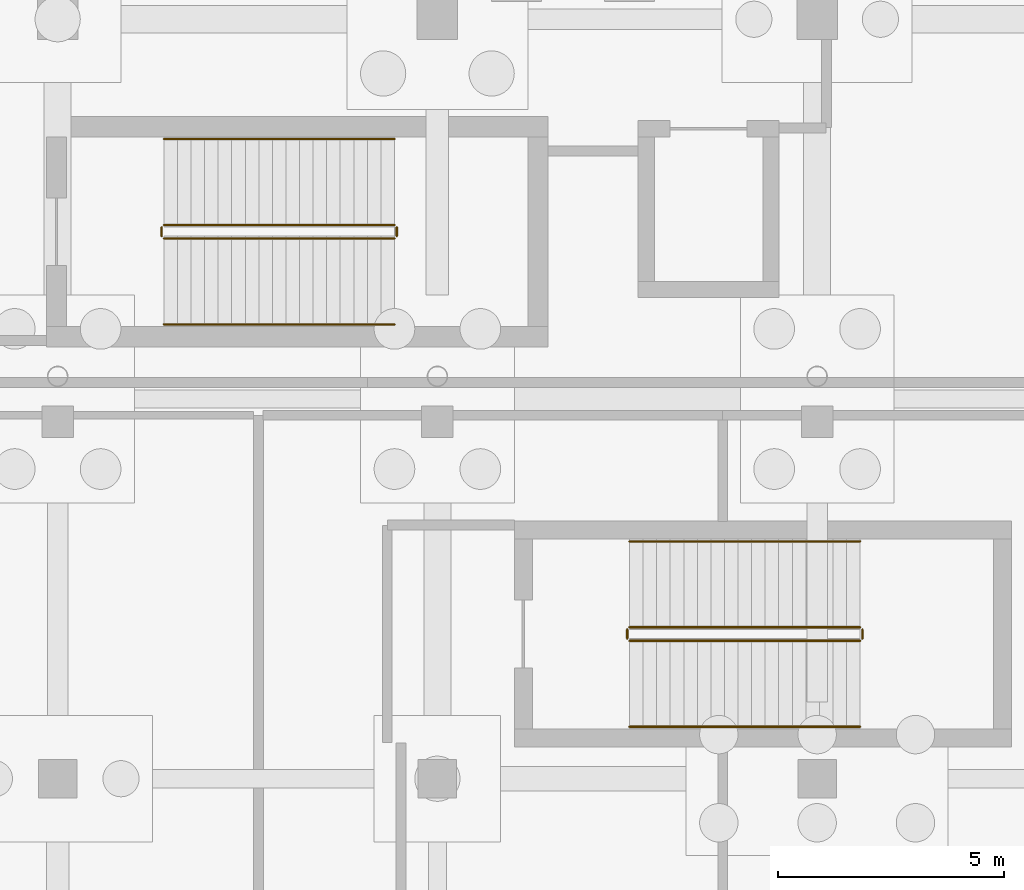
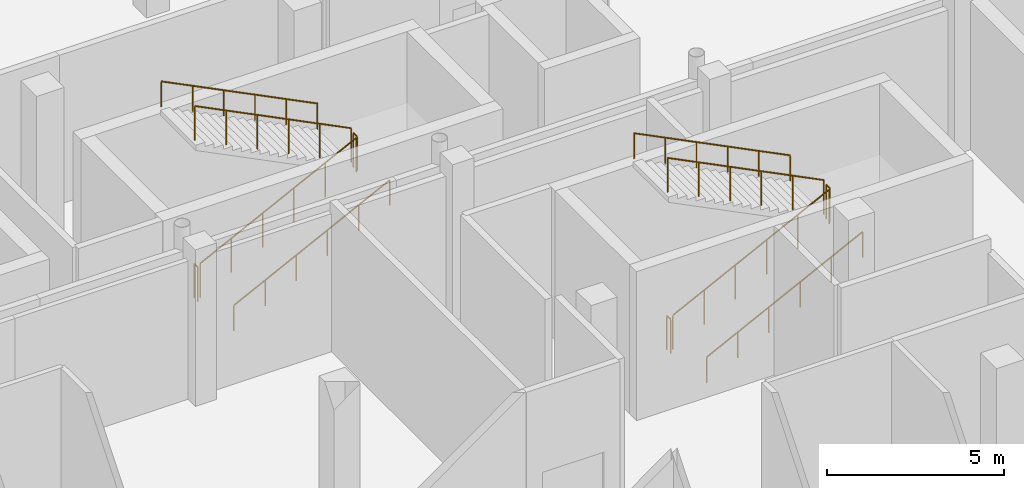
# One storey, part 47 of 49: 12 railings.
"""IFC4 building model written with IfcOpenShell, lengths in metres."""

from ifc_helpers import new_model, si_unit, direction, frame, origin, origin_2d, place, context, subcontext, project, spatial, circle, extrude, material, type_object, element, save


model = new_model("IFC4")

# Units and contexts
model_context = context("Model", 3, precision=1e-05, world=origin(), true_north=direction((0.0, 1.0)))
body_context = subcontext(model_context, "Body", "Model", "MODEL_VIEW")
ifc_project = project(units=[si_unit("LENGTHUNIT", "METRE"), si_unit("AREAUNIT", "SQUARE_METRE"), si_unit("VOLUMEUNIT", "CUBIC_METRE"), si_unit("PLANEANGLEUNIT", "RADIAN"), si_unit("MASSUNIT", "GRAM", prefix="KILO"), si_unit("THERMODYNAMICTEMPERATUREUNIT", "KELVIN")], contexts=[model_context])

# Site, building, storey
site_placement = place(None, origin())
site = spatial("IfcSite", under=ifc_project, at=site_placement, CompositionType="ELEMENT")
building_placement = place(site_placement, origin())
building = spatial("IfcBuilding", under=site, at=building_placement, Name="Lustrewick Department Store", CompositionType="ELEMENT")
storey_placement = place(building_placement, frame((0.0, 0.0, -5.39990234375)))
storey = spatial("IfcBuildingStorey", under=building, at=storey_placement, Name="B1", CompositionType="ELEMENT", Elevation=-5.39990234375)

# Railings
ifc_material_1 = material(Name="Painted tubular steel stairwell guardrail", Category="steel")
railing_type_1 = type_object("IfcRailingType", Name="RL-STG", PredefinedType="GUARDRAIL", material=ifc_material_1)
railing_1_placement = place(storey_placement, frame((138.64990234375, 45.050048828125, 0.14990234375)))
element("IfcRailing", 1, at=railing_1_placement, inside=storey, type_object=railing_type_1, Name="B1 ST08 Stair Guard 1", PredefinedType="GUARDRAIL", context=body_context, shape_type="SweptSolid", body=[
    extrude(circle(Radius=0.02392578125, at=origin_2d()), frame((0.0, 0.0, 1.17578125), z_axis=(0.894427191, 0.0, 0.4472135955), x_axis=(0.0, 1.0, 0.0)), (0.0, 0.0, 1.0), 5.7021484375),
    extrude(circle(Radius=0.02099609375, at=origin_2d()), origin(), (0.0, 0.0, 1.0), 1.15185546875),
    extrude(circle(Radius=0.02099609375, at=origin_2d()), frame((1.02001953125, 0.0, 0.510009765625)), (0.0, 0.0, 1.0), 1.15185546875),
    extrude(circle(Radius=0.02099609375, at=origin_2d()), frame((2.0400390625, 0.0, 1.02001953125)), (0.0, 0.0, 1.0), 1.15185546875),
    extrude(circle(Radius=0.02099609375, at=origin_2d()), frame((3.06005859375, 0.0, 1.530029296875)), (0.0, 0.0, 1.0), 1.15185546875),
    extrude(circle(Radius=0.02099609375, at=origin_2d()), frame((4.080078125, 0.0, 2.0400390625)), (0.0, 0.0, 1.0), 1.15185546875),
    extrude(circle(Radius=0.02099609375, at=origin_2d()), frame((5.10009765625, 0.0, 2.550048828125)), (0.0, 0.0, 1.0), 1.15185546875),
])
railing_2_placement = place(storey_placement, frame((143.800048828125, 45.10009765625, 2.699951171875)))
element("IfcRailing", 2, at=railing_2_placement, inside=storey, type_object=railing_type_1, Name="B1 ST08 Stair Guard 2", PredefinedType="GUARDRAIL", context=body_context, shape_type="SweptSolid", body=[
    extrude(circle(Radius=0.02392578125, at=origin_2d()), frame((0.0, 0.0, 1.17578125), z_axis=(0.0, 1.0, 0.0), x_axis=(-1.0, 0.0, 0.0)), (0.0, 0.0, 1.0), 0.199951171875),
    extrude(circle(Radius=0.02099609375, at=origin_2d()), origin(), (0.0, 0.0, 1.0), 1.15185546875),
    extrude(circle(Radius=0.02099609375, at=origin_2d()), frame((0.0, 0.199951171875, 0.0)), (0.0, 0.0, 1.0), 1.15185546875),
])
railing_3_placement = place(storey_placement, frame((143.75, 45.35009765625, 2.849853515625)))
element("IfcRailing", 3, at=railing_3_placement, inside=storey, type_object=railing_type_1, Name="B1 ST08 Stair Guard 3", PredefinedType="GUARDRAIL", context=body_context, shape_type="SweptSolid", body=[
    extrude(circle(Radius=0.02392578125, at=origin_2d()), frame((0.0, 0.0, 1.17578125), z_axis=(-0.894427191, 0.0, 0.4472135955), x_axis=(0.0, -1.0, 0.0)), (0.0, 0.0, 1.0), 5.7021484375),
    extrude(circle(Radius=0.02099609375, at=origin_2d()), origin(), (0.0, 0.0, 1.0), 1.15185546875),
    extrude(circle(Radius=0.02099609375, at=origin_2d()), frame((-1.02001953125, 0.0, 0.510009765625)), (0.0, 0.0, 1.0), 1.15185546875),
    extrude(circle(Radius=0.02099609375, at=origin_2d()), frame((-2.0400390625, 0.0, 1.02001953125)), (0.0, 0.0, 1.0), 1.15185546875),
    extrude(circle(Radius=0.02099609375, at=origin_2d()), frame((-3.06005859375, 0.0, 1.530029296875)), (0.0, 0.0, 1.0), 1.15185546875),
    extrude(circle(Radius=0.02099609375, at=origin_2d()), frame((-4.080078125, 0.0, 2.0400390625)), (0.0, 0.0, 1.0), 1.15185546875),
    extrude(circle(Radius=0.02099609375, at=origin_2d()), frame((-5.10009765625, 0.0, 2.550048828125)), (0.0, 0.0, 1.0), 1.15185546875),
])
railing_4_placement = place(storey_placement, frame((138.60009765625, 45.10009765625, 0.0)))
element("IfcRailing", 4, at=railing_4_placement, inside=storey, type_object=railing_type_1, Name="B1 ST08 Stair Guard 4", PredefinedType="GUARDRAIL", context=body_context, shape_type="SweptSolid", body=[
    extrude(circle(Radius=0.02392578125, at=origin_2d()), frame((0.0, 0.0, 1.17578125), z_axis=(0.0, 1.0, 0.0), x_axis=(-1.0, 0.0, 0.0)), (0.0, 0.0, 1.0), 0.199951171875),
    extrude(circle(Radius=0.02099609375, at=origin_2d()), origin(), (0.0, 0.0, 1.0), 1.15185546875),
    extrude(circle(Radius=0.02099609375, at=origin_2d()), frame((0.0, 0.199951171875, 0.0)), (0.0, 0.0, 1.0), 1.15185546875),
])
railing_5_placement = place(storey_placement, frame((128.35009765625, 53.949951171875, 0.14990234375)))
element("IfcRailing", 5, at=railing_5_placement, inside=storey, type_object=railing_type_1, Name="B1 ST11 Stair Guard 1", PredefinedType="GUARDRAIL", context=body_context, shape_type="SweptSolid", body=[
    extrude(circle(Radius=0.02392578125, at=origin_2d()), frame((0.0, 0.0, 1.17578125), z_axis=(0.894418627299, 0.0, 0.447230722492), x_axis=(0.0, 1.0, 0.0)), (0.0, 0.0, 1.0), 5.701904296875),
    extrude(circle(Radius=0.02099609375, at=origin_2d()), origin(), (0.0, 0.0, 1.0), 1.15185546875),
    extrude(circle(Radius=0.02099609375, at=origin_2d()), frame((1.02001953125, 0.0, 0.510009765625)), (0.0, 0.0, 1.0), 1.15185546875),
    extrude(circle(Radius=0.02099609375, at=origin_2d()), frame((2.0400390625, 0.0, 1.02001953125)), (0.0, 0.0, 1.0), 1.15185546875),
    extrude(circle(Radius=0.02099609375, at=origin_2d()), frame((3.059814453125, 0.0, 1.530029296875)), (0.0, 0.0, 1.0), 1.15185546875),
    extrude(circle(Radius=0.02099609375, at=origin_2d()), frame((4.079833984375, 0.0, 2.0400390625)), (0.0, 0.0, 1.0), 1.15185546875),
    extrude(circle(Radius=0.02099609375, at=origin_2d()), frame((5.099853515625, 0.0, 2.550048828125)), (0.0, 0.0, 1.0), 1.15185546875),
])
railing_6_placement = place(storey_placement, frame((133.5, 54.0, 2.699951171875)))
element("IfcRailing", 6, at=railing_6_placement, inside=storey, type_object=railing_type_1, Name="B1 ST11 Stair Guard 2", PredefinedType="GUARDRAIL", context=body_context, shape_type="SweptSolid", body=[
    extrude(circle(Radius=0.02392578125, at=origin_2d()), frame((0.0, 0.0, 1.17578125), z_axis=(0.0, 1.0, 0.0), x_axis=(-1.0, 0.0, 0.0)), (0.0, 0.0, 1.0), 0.199951171875),
    extrude(circle(Radius=0.02099609375, at=origin_2d()), origin(), (0.0, 0.0, 1.0), 1.15185546875),
    extrude(circle(Radius=0.02099609375, at=origin_2d()), frame((0.0, 0.199951171875, 0.0)), (0.0, 0.0, 1.0), 1.15185546875),
])
railing_7_placement = place(storey_placement, frame((133.449951171875, 54.25, 2.849853515625)))
element("IfcRailing", 7, at=railing_7_placement, inside=storey, type_object=railing_type_1, Name="B1 ST11 Stair Guard 3", PredefinedType="GUARDRAIL", context=body_context, shape_type="SweptSolid", body=[
    extrude(circle(Radius=0.02392578125, at=origin_2d()), frame((0.0, 0.0, 1.17578125), z_axis=(-0.894418627299, 0.0, 0.447230722492), x_axis=(0.0, -1.0, 0.0)), (0.0, 0.0, 1.0), 5.701904296875),
    extrude(circle(Radius=0.02099609375, at=origin_2d()), origin(), (0.0, 0.0, 1.0), 1.15185546875),
    extrude(circle(Radius=0.02099609375, at=origin_2d()), frame((-1.02001953125, 0.0, 0.510009765625)), (0.0, 0.0, 1.0), 1.15185546875),
    extrude(circle(Radius=0.02099609375, at=origin_2d()), frame((-2.0400390625, 0.0, 1.02001953125)), (0.0, 0.0, 1.0), 1.15185546875),
    extrude(circle(Radius=0.02099609375, at=origin_2d()), frame((-3.059814453125, 0.0, 1.530029296875)), (0.0, 0.0, 1.0), 1.15185546875),
    extrude(circle(Radius=0.02099609375, at=origin_2d()), frame((-4.079833984375, 0.0, 2.0400390625)), (0.0, 0.0, 1.0), 1.15185546875),
    extrude(circle(Radius=0.02099609375, at=origin_2d()), frame((-5.099853515625, 0.0, 2.550048828125)), (0.0, 0.0, 1.0), 1.15185546875),
])
railing_8_placement = place(storey_placement, frame((128.300048828125, 54.0, 0.0)))
element("IfcRailing", 8, at=railing_8_placement, inside=storey, type_object=railing_type_1, Name="B1 ST11 Stair Guard 4", PredefinedType="GUARDRAIL", context=body_context, shape_type="SweptSolid", body=[
    extrude(circle(Radius=0.02392578125, at=origin_2d()), frame((0.0, 0.0, 1.17578125), z_axis=(0.0, 1.0, 0.0), x_axis=(-1.0, 0.0, 0.0)), (0.0, 0.0, 1.0), 0.199951171875),
    extrude(circle(Radius=0.02099609375, at=origin_2d()), origin(), (0.0, 0.0, 1.0), 1.15185546875),
    extrude(circle(Radius=0.02099609375, at=origin_2d()), frame((0.0, 0.199951171875, 0.0)), (0.0, 0.0, 1.0), 1.15185546875),
])
ifc_material_2 = material(Name="Brushed stainless steel wall handrail", Category="steel")
railing_type_2 = type_object("IfcRailingType", Name="RL-STH", PredefinedType="HANDRAIL", material=ifc_material_2)
railing_9_placement = place(storey_placement, frame((138.64990234375, 43.14990234375, 0.14990234375)))
element("IfcRailing", 9, at=railing_9_placement, inside=storey, type_object=railing_type_2, Name="B1 ST08 Stair Handrail 1", PredefinedType="HANDRAIL", context=body_context, shape_type="SweptSolid", body=[
    extrude(circle(Radius=0.02392578125, at=origin_2d()), frame((0.0, 0.0, 0.8759765625), z_axis=(0.894427191, 0.0, 0.4472135955), x_axis=(0.0, 1.0, 0.0)), (0.0, 0.0, 1.0), 5.7021484375),
    extrude(circle(Radius=0.02099609375, at=origin_2d()), origin(), (0.0, 0.0, 1.0), 0.851806640625),
    extrude(circle(Radius=0.02099609375, at=origin_2d()), frame((1.02001953125, 0.0, 0.510009765625)), (0.0, 0.0, 1.0), 0.851806640625),
    extrude(circle(Radius=0.02099609375, at=origin_2d()), frame((2.0400390625, 0.0, 1.02001953125)), (0.0, 0.0, 1.0), 0.851806640625),
    extrude(circle(Radius=0.02099609375, at=origin_2d()), frame((3.06005859375, 0.0, 1.530029296875)), (0.0, 0.0, 1.0), 0.851806640625),
    extrude(circle(Radius=0.02099609375, at=origin_2d()), frame((4.080078125, 0.0, 2.0400390625)), (0.0, 0.0, 1.0), 0.851806640625),
    extrude(circle(Radius=0.02099609375, at=origin_2d()), frame((5.10009765625, 0.0, 2.550048828125)), (0.0, 0.0, 1.0), 0.851806640625),
])
railing_10_placement = place(storey_placement, frame((143.75, 47.25, 2.849853515625)))
element("IfcRailing", 10, at=railing_10_placement, inside=storey, type_object=railing_type_2, Name="B1 ST08 Stair Handrail 2", PredefinedType="HANDRAIL", context=body_context, shape_type="SweptSolid", body=[
    extrude(circle(Radius=0.02392578125, at=origin_2d()), frame((0.0, 0.0, 0.8759765625), z_axis=(-0.894427191, 0.0, 0.4472135955), x_axis=(0.0, -1.0, 0.0)), (0.0, 0.0, 1.0), 5.7021484375),
    extrude(circle(Radius=0.02099609375, at=origin_2d()), origin(), (0.0, 0.0, 1.0), 0.851806640625),
    extrude(circle(Radius=0.02099609375, at=origin_2d()), frame((-1.02001953125, 0.0, 0.510009765625)), (0.0, 0.0, 1.0), 0.851806640625),
    extrude(circle(Radius=0.02099609375, at=origin_2d()), frame((-2.0400390625, 0.0, 1.02001953125)), (0.0, 0.0, 1.0), 0.851806640625),
    extrude(circle(Radius=0.02099609375, at=origin_2d()), frame((-3.06005859375, 0.0, 1.530029296875)), (0.0, 0.0, 1.0), 0.851806640625),
    extrude(circle(Radius=0.02099609375, at=origin_2d()), frame((-4.080078125, 0.0, 2.0400390625)), (0.0, 0.0, 1.0), 0.851806640625),
    extrude(circle(Radius=0.02099609375, at=origin_2d()), frame((-5.10009765625, 0.0, 2.550048828125)), (0.0, 0.0, 1.0), 0.851806640625),
])
railing_11_placement = place(storey_placement, frame((128.35009765625, 52.050048828125, 0.14990234375)))
element("IfcRailing", 11, at=railing_11_placement, inside=storey, type_object=railing_type_2, Name="B1 ST11 Stair Handrail 1", PredefinedType="HANDRAIL", context=body_context, shape_type="SweptSolid", body=[
    extrude(circle(Radius=0.02392578125, at=origin_2d()), frame((0.0, 0.0, 0.8759765625), z_axis=(0.894418627299, 0.0, 0.447230722492), x_axis=(0.0, 1.0, 0.0)), (0.0, 0.0, 1.0), 5.701904296875),
    extrude(circle(Radius=0.02099609375, at=origin_2d()), origin(), (0.0, 0.0, 1.0), 0.851806640625),
    extrude(circle(Radius=0.02099609375, at=origin_2d()), frame((1.02001953125, 0.0, 0.510009765625)), (0.0, 0.0, 1.0), 0.851806640625),
    extrude(circle(Radius=0.02099609375, at=origin_2d()), frame((2.0400390625, 0.0, 1.02001953125)), (0.0, 0.0, 1.0), 0.851806640625),
    extrude(circle(Radius=0.02099609375, at=origin_2d()), frame((3.059814453125, 0.0, 1.530029296875)), (0.0, 0.0, 1.0), 0.851806640625),
    extrude(circle(Radius=0.02099609375, at=origin_2d()), frame((4.079833984375, 0.0, 2.0400390625)), (0.0, 0.0, 1.0), 0.851806640625),
    extrude(circle(Radius=0.02099609375, at=origin_2d()), frame((5.099853515625, 0.0, 2.550048828125)), (0.0, 0.0, 1.0), 0.851806640625),
])
railing_12_placement = place(storey_placement, frame((133.449951171875, 56.14990234375, 2.849853515625)))
element("IfcRailing", 12, at=railing_12_placement, inside=storey, type_object=railing_type_2, Name="B1 ST11 Stair Handrail 2", PredefinedType="HANDRAIL", context=body_context, shape_type="SweptSolid", body=[
    extrude(circle(Radius=0.02392578125, at=origin_2d()), frame((0.0, 0.0, 0.8759765625), z_axis=(-0.894418627299, 0.0, 0.447230722492), x_axis=(0.0, -1.0, 0.0)), (0.0, 0.0, 1.0), 5.701904296875),
    extrude(circle(Radius=0.02099609375, at=origin_2d()), origin(), (0.0, 0.0, 1.0), 0.851806640625),
    extrude(circle(Radius=0.02099609375, at=origin_2d()), frame((-1.02001953125, 0.0, 0.510009765625)), (0.0, 0.0, 1.0), 0.851806640625),
    extrude(circle(Radius=0.02099609375, at=origin_2d()), frame((-2.0400390625, 0.0, 1.02001953125)), (0.0, 0.0, 1.0), 0.851806640625),
    extrude(circle(Radius=0.02099609375, at=origin_2d()), frame((-3.059814453125, 0.0, 1.530029296875)), (0.0, 0.0, 1.0), 0.851806640625),
    extrude(circle(Radius=0.02099609375, at=origin_2d()), frame((-4.079833984375, 0.0, 2.0400390625)), (0.0, 0.0, 1.0), 0.851806640625),
    extrude(circle(Radius=0.02099609375, at=origin_2d()), frame((-5.099853515625, 0.0, 2.550048828125)), (0.0, 0.0, 1.0), 0.851806640625),
])

save(model, "model.ifc")
